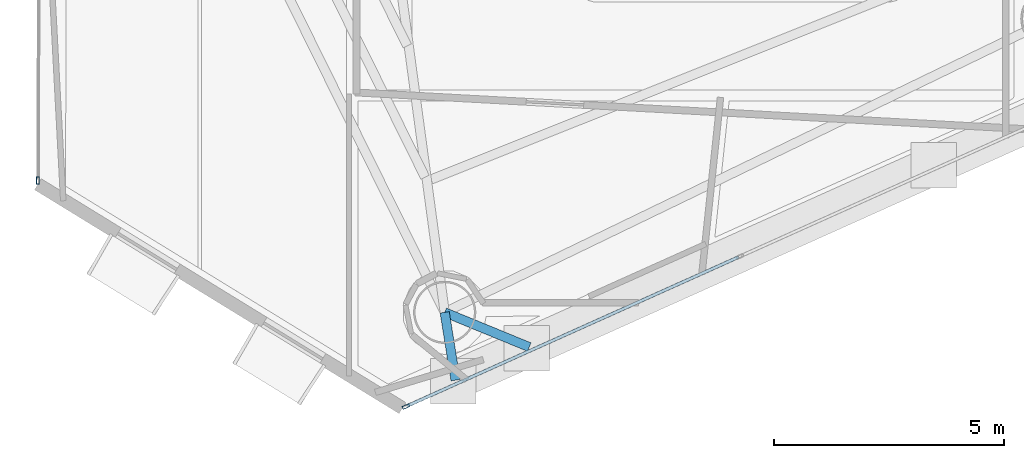
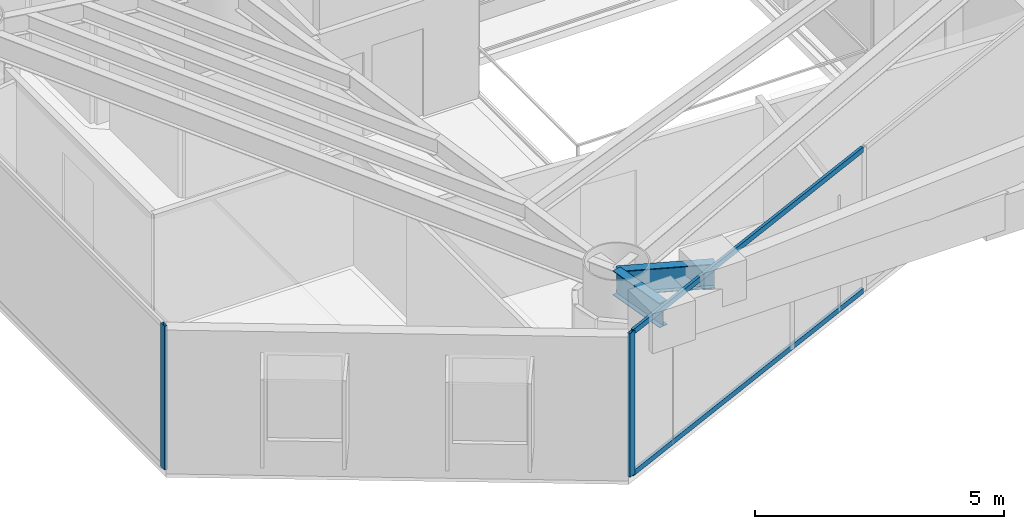
# One storey, part 2 of 23: 4 members, 2 beams, 2 elements without a shape of their own.
"""IFC4 building model written with IfcOpenShell, lengths in metres."""

from ifc_helpers import new_model, si_unit, direction, frame, origin, origin_2d, place, context, subcontext, project, spatial, hollow_rectangle, i_section, extrude, material, layer, layer_set, material_profile, profile_set, type_object, element, aggregate, save


model = new_model("IFC4")

# Units and contexts
model_context = context("Model", 3, precision=1e-05, world=origin(), true_north=direction((0.0, 1.0)))
body_context = subcontext(model_context, "Body", "Model", "MODEL_VIEW")
ifc_project = project(units=[si_unit("LENGTHUNIT", "METRE"), si_unit("AREAUNIT", "SQUARE_METRE"), si_unit("VOLUMEUNIT", "CUBIC_METRE"), si_unit("PLANEANGLEUNIT", "RADIAN"), si_unit("MASSUNIT", "GRAM", prefix="KILO")], contexts=[model_context])

# Site, building, storey
site_placement = place(None, origin())
site = spatial("IfcSite", under=ifc_project, at=site_placement, CompositionType="ELEMENT")
building_placement = place(site_placement, origin())
building = spatial("IfcBuilding", under=site, at=building_placement, Name="Qianvela Tower", CompositionType="ELEMENT")
storey_placement = place(building_placement, frame((0.0, 0.0, 147.60009765625)))
storey = spatial("IfcBuildingStorey", under=building, at=storey_placement, Name="L37", CompositionType="ELEMENT", Elevation=147.60009765625)

# Beams
ifc_material_1 = material(Name="Steel Q355B", Category="steel")
ifc_material_profile_1 = material_profile(ifc_material_1, i_section(OverallWidth=0.199951171875, OverallDepth=0.60009765625, WebThickness=0.010986328125, FlangeThickness=0.01708984375, at=origin_2d()), Name="HN600x200x11x17")
ifc_profile_set_1 = profile_set([ifc_material_profile_1], Name="Steel Q355B")
beam_type = type_object("IfcBeamType", Name="BM-HN600-GIRD", PredefinedType="BEAM", material=ifc_profile_set_1)
beam_1_placement = place(storey_placement, frame((30.346923828125, 10.908935546875, 3.218017578125), z_axis=(0.157913834001, -0.987452895601, 0.0), x_axis=(0.987452895601, 0.157913834001, 0.0)))
element("IfcBeam", 1, at=beam_1_placement, inside=storey, type_object=beam_type, Name="L37 Mega-Brace Column Tie Bracket F3-1", PredefinedType="BEAM", context=body_context, shape_type="SweptSolid", body=[
    extrude(i_section(OverallWidth=0.199951171875, OverallDepth=0.60009765625, WebThickness=0.010986328125, FlangeThickness=0.01708984375, at=origin_2d()), origin(), (0.0, 0.0, 1.0), 1.490478515625),
])
beam_2_placement = place(storey_placement, frame((30.346923828125, 10.908935546875, 3.218017578125), z_axis=(0.924988905617, -0.37999411112, 0.0), x_axis=(0.37999411112, 0.924988905617, 0.0)))
element("IfcBeam", 2, at=beam_2_placement, inside=storey, type_object=beam_type, Name="L37 Mega-Brace Column Tie Bracket F3-2", PredefinedType="BEAM", context=body_context, shape_type="SweptSolid", body=[
    extrude(i_section(OverallWidth=0.199951171875, OverallDepth=0.60009765625, WebThickness=0.010986328125, FlangeThickness=0.01708984375, at=origin_2d()), origin(), (0.0, 0.0, 1.0), 1.982666015625),
])

# Curtain wall, members
ifc_material_2 = material(Name="Anodised Architectural Aluminium and Insulated Spandrel Panel", Category="aluminium")
ifc_layer_1 = layer(ifc_material_2, 0.179931640625)
ifc_layer_set_1 = layer_set([ifc_layer_1], Name="Anodised Architectural Aluminium and Insulated Spandrel Panel")
curtain_wall_type_1 = type_object("IfcCurtainWallType", Name="CW-BRACEBAY", PredefinedType="USERDEFINED", material=ifc_layer_set_1)
curtain_wall_1_placement = place(storey_placement, origin())
curtain_wall_1 = element("IfcCurtainWall", 3, at=curtain_wall_1_placement, inside=storey, type_object=curtain_wall_type_1, Name="L37 CW-BRACEBAY Curtain Wall 06A", ObjectType="CURTAIN_WALL_SYSTEM", PredefinedType="USERDEFINED")
ifc_material_3 = material(Name="Anodised Architectural Aluminium 6063-T6", Category="aluminium")
ifc_material_profile_2 = material_profile(ifc_material_3, hollow_rectangle(XDim=0.06494140625, YDim=0.159912109375, WallThickness=0.0048828125, at=origin_2d()), Name="ALU-MULL-65x160")
ifc_profile_set_2 = profile_set([ifc_material_profile_2], Name="Anodised Architectural Aluminium 6063-T6")
member_type_1 = type_object("IfcMemberType", Name="CW-BRACEBAY-MULL", PredefinedType="MULLION", material=ifc_profile_set_2)
member_1_placement = place(storey_placement, frame((29.504638671875, 8.865478515625, 0.0), z_axis=(0.0, 0.0, 1.0), x_axis=(-0.409812805876, 0.912169646579, 0.0)))
member_1 = element("IfcMember", 4, at=member_1_placement, type_object=member_type_1, Name="CW-9 mullion 1", PredefinedType="MULLION", context=body_context, shape_type="SweptSolid", body=[
    extrude(hollow_rectangle(XDim=0.06494140625, YDim=0.159912109375, WallThickness=0.0048828125, at=origin_2d()), origin(), (0.0, 0.0, 1.0), 3.52001953125),
])
ifc_material_4 = material(Name="Anodised Architectural Aluminium 6063-T6", Category="aluminium")
ifc_material_profile_3 = material_profile(ifc_material_4, hollow_rectangle(XDim=0.06494140625, YDim=0.1298828125, WallThickness=0.00439453125, at=origin_2d()), Name="ALU-TRAN-65x130")
ifc_profile_set_3 = profile_set([ifc_material_profile_3], Name="Anodised Architectural Aluminium 6063-T6")
member_type_2 = type_object("IfcMemberType", Name="CW-BRACEBAY-TRAN", PredefinedType="USERDEFINED", material=ifc_profile_set_3)
member_2_placement = place(storey_placement, frame((29.5341796875, 8.878662109375, 0.032470703125), z_axis=(0.912164165509, 0.409825005535, 0.0), x_axis=(-0.409825005535, 0.912164165509, 0.0)))
member_2 = element("IfcMember", 5, at=member_2_placement, type_object=member_type_2, Name="CW-9 transom 1.1", ObjectType="TRANSOM", PredefinedType="USERDEFINED", context=body_context, shape_type="SweptSolid", body=[
    extrude(hollow_rectangle(XDim=0.06494140625, YDim=0.1298828125, WallThickness=0.00439453125, at=origin_2d()), origin(), (0.0, 0.0, 1.0), 7.882568359375),
])
member_3_placement = place(storey_placement, frame((29.5341796875, 8.878662109375, 3.4873046875), z_axis=(0.912164165509, 0.409825005535, 0.0), x_axis=(-0.409825005535, 0.912164165509, 0.0)))
member_3 = element("IfcMember", 6, at=member_3_placement, type_object=member_type_2, Name="CW-9 transom 1.2", ObjectType="TRANSOM", PredefinedType="USERDEFINED", context=body_context, shape_type="SweptSolid", body=[
    extrude(hollow_rectangle(XDim=0.06494140625, YDim=0.1298828125, WallThickness=0.00439453125, at=origin_2d()), origin(), (0.0, 0.0, 1.0), 7.882568359375),
])
aggregate(curtain_wall_1, [member_1, member_2, member_3])

# Curtain wall, member
ifc_material_5 = material(Name="Anodised Architectural Aluminium and Low-E Glass", Category="aluminium")
ifc_layer_2 = layer(ifc_material_5, 0.169921875)
ifc_layer_set_2 = layer_set([ifc_layer_2], Name="Anodised Architectural Aluminium and Low-E Glass")
curtain_wall_type_2 = type_object("IfcCurtainWallType", Name="CW-COLIV-Z34", PredefinedType="USERDEFINED", material=ifc_layer_set_2)
curtain_wall_2_placement = place(storey_placement, origin())
curtain_wall_2 = element("IfcCurtainWall", 7, at=curtain_wall_2_placement, inside=storey, type_object=curtain_wall_type_2, Name="L37 CW-COLIV-Z34 Curtain Wall 04C", ObjectType="CURTAIN_WALL_SYSTEM", PredefinedType="USERDEFINED")
ifc_material_6 = material(Name="Anodised Architectural Aluminium 6063-T6", Category="aluminium")
ifc_material_profile_4 = material_profile(ifc_material_6, hollow_rectangle(XDim=0.06494140625, YDim=0.159912109375, WallThickness=0.0048828125, at=origin_2d()), Name="ALU-MULL-65x160")
ifc_profile_set_4 = profile_set([ifc_material_profile_4], Name="Anodised Architectural Aluminium 6063-T6")
member_type_3 = type_object("IfcMemberType", Name="CW-COLIV-Z34-MULL", PredefinedType="MULLION", material=ifc_profile_set_4)
member_4_placement = place(storey_placement, frame((21.52099609375, 13.769287109375, 0.0), z_axis=(0.0, 0.0, 1.0), x_axis=(0.999996104491, -0.002791236644, 0.0)))
member_4 = element("IfcMember", 8, at=member_4_placement, type_object=member_type_3, Name="CW-4 mullion 2", PredefinedType="MULLION", context=body_context, shape_type="SweptSolid", body=[
    extrude(hollow_rectangle(XDim=0.06494140625, YDim=0.159912109375, WallThickness=0.0048828125, at=origin_2d()), origin(), (0.0, 0.0, 1.0), 3.52001953125),
])
aggregate(curtain_wall_2, [member_4])

save(model, "model.ifc")
